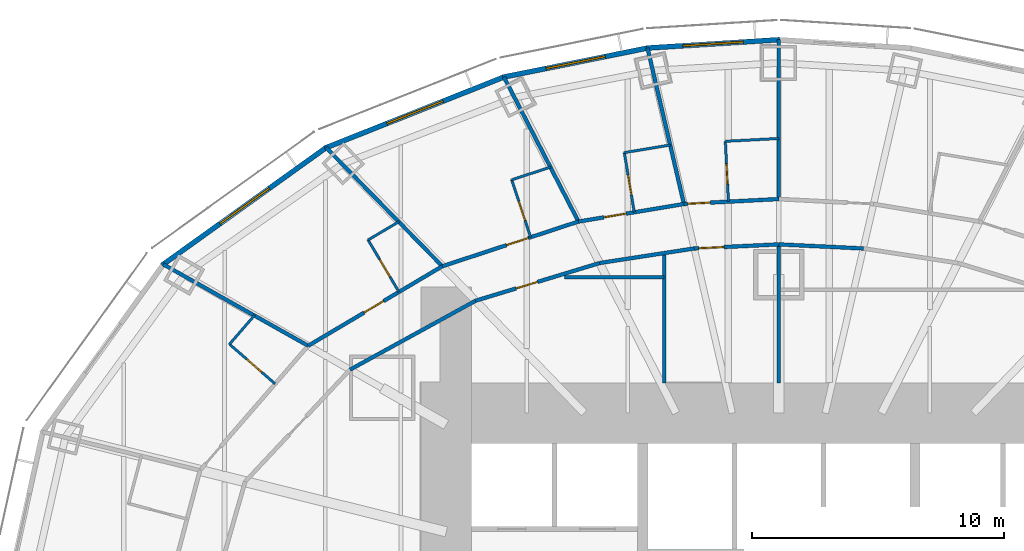
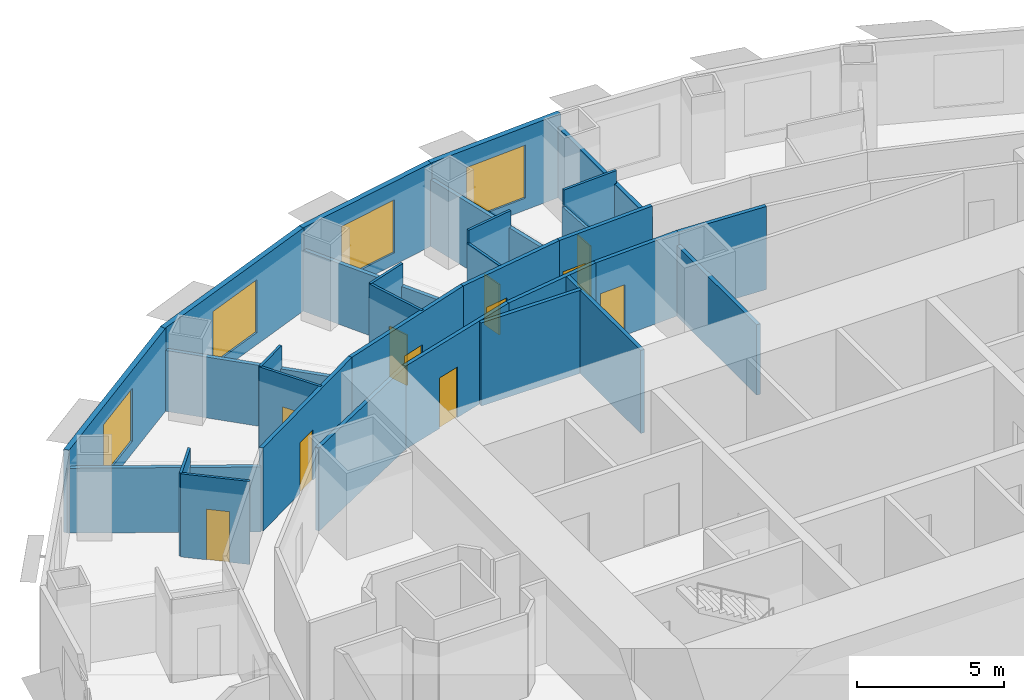
# One storey, part 9 of 15: 31 walls, 11 doors, 4 windows, 15 openings.
"""IFC4 building model written with IfcOpenShell, lengths in metres."""

from ifc_helpers import new_model, si_unit, direction, frame, frame_2d, origin, place, context, subcontext, project, spatial, rectangle, extrude, material, layer, layer_set, type_object, element, fill, save


model = new_model("IFC4")

# Units and contexts
model_context = context("Model", 3, precision=1e-05, world=origin(), true_north=direction((0.0, 1.0)))
body_context = subcontext(model_context, "Body", "Model", "MODEL_VIEW")
ifc_project = project(units=[si_unit("LENGTHUNIT", "METRE"), si_unit("AREAUNIT", "SQUARE_METRE"), si_unit("VOLUMEUNIT", "CUBIC_METRE"), si_unit("PLANEANGLEUNIT", "RADIAN"), si_unit("MASSUNIT", "GRAM", prefix="KILO")], contexts=[model_context])

# Site, building, storey
site_placement = place(None, origin())
site = spatial("IfcSite", under=ifc_project, at=site_placement, CompositionType="ELEMENT")
building_placement = place(site_placement, origin())
building = spatial("IfcBuilding", under=site, at=building_placement, Name="Lantaw Convention Tower", CompositionType="ELEMENT")
storey_placement = place(building_placement, frame((0.0, 0.0, 62.199951171875)))
storey = spatial("IfcBuildingStorey", under=building, at=storey_placement, Name="L13", CompositionType="ELEMENT", Elevation=62.199951171875)

# Walls
ifc_material_1 = material(Name="Gypsum board on steel studs", Category="steel")
ifc_layer_1 = layer(ifc_material_1, 0.14990234375)
ifc_layer_set_1 = layer_set([ifc_layer_1], Name="Back of house wall 150")
wall_type_1 = type_object("IfcWallType", Name="Back of house wall 150", PredefinedType="PARTITIONING", material=ifc_layer_set_1)
wall_1_placement = place(storey_placement, frame((0.0, 9.199951171875, 0.0), z_axis=(0.0, 0.0, 1.0), x_axis=(0.0, 1.0, 0.0)))
element("IfcWall", 1, at=wall_1_placement, inside=storey, type_object=wall_type_1, Name="Back of house wall 150", PredefinedType="PARTITIONING", context=body_context, shape_type="SweptSolid", body=[
    extrude(rectangle(XDim=5.5, YDim=0.14990234375, at=frame_2d((2.75, 0.0))), origin(), (0.0, 0.0, 1.0), 2.92431640625),
])
wall_2_placement = place(storey_placement, frame((-4.56005859375, 13.39990234375, 0.0), z_axis=(0.0, 0.0, 1.0), x_axis=(-1.0, 0.0, 0.0)))
element("IfcWall", 2, at=wall_2_placement, inside=storey, type_object=wall_type_1, Name="Back of house wall 150", PredefinedType="PARTITIONING", context=body_context, shape_type="SweptSolid", body=[
    extrude(rectangle(XDim=3.947509765625, YDim=0.14990234375, at=frame_2d((1.9736328125, 0.0))), origin(), (0.0, 0.0, 1.0), 3.449951171875),
])

# Wall, opening, door
ifc_material_2 = material(Name="Moisture resistant gypsum board on steel studs", Category="steel")
ifc_layer_2 = layer(ifc_material_2, 0.10009765625)
ifc_layer_set_2 = layer_set([ifc_layer_2], Name="Bathroom wall 100")
wall_type_2 = type_object("IfcWallType", Name="Bathroom wall 100", PredefinedType="PARTITIONING", material=ifc_layer_set_2)
wall_3_placement = place(storey_placement, frame((-1.997314453125, 16.39599609375, 0.0), z_axis=(0.0, 0.0, 1.0), x_axis=(-0.051982187452, 0.998648012158, 0.0)))
wall_3 = element("IfcWall", 3, at=wall_3_placement, inside=storey, type_object=wall_type_2, Name="Bathroom wall 100", PredefinedType="PARTITIONING", context=body_context, shape_type="SweptSolid", body=[
    extrude(rectangle(XDim=2.39990234375, YDim=0.10009765625, at=frame_2d((1.199951171875, 0.0))), origin(), (0.0, 0.0, 1.0), 2.7490234375),
])
opening_1_placement = place(wall_3_placement, frame((0.699951171875, 0.0, 0.0)))
opening_1 = element("IfcOpeningElement", 4, at=opening_1_placement, cuts=wall_3, Name="Opening L13.31", PredefinedType="OPENING", context=body_context, shape_type="SweptSolid", body=[
    extrude(rectangle(XDim=0.800048828125, YDim=2.10009765625, at=frame_2d((0.39990234375, 1.050048828125))), frame((0.0, 0.06005859375, 0.0), z_axis=(0.0, -1.0, 0.0), x_axis=(1.0, 0.0, 0.0)), (0.0, 0.0, 1.0), 0.1201171875),
])
ifc_material_3 = material(Name="Timber", Category="wood")
door_type_1 = type_object("IfcDoorType", Name="Bathroom door 800", OperationType="SINGLE_SWING_LEFT", PredefinedType="DOOR", material=ifc_material_3)
door_1_placement = place(opening_1_placement, origin())
door_1 = element("IfcDoor", 5, at=door_1_placement, inside=storey, type_object=door_type_1, Name="Bathroom door", OperationType="SINGLE_SWING_LEFT", OverallHeight=2.10009765625, OverallWidth=0.800048828125, PredefinedType="DOOR", context=body_context, shape_type="SweptSolid", body=[
    extrude(rectangle(XDim=0.800048828125, YDim=2.10009765625, at=frame_2d((0.39990234375, 1.050048828125))), frame((0.0, 0.02490234375, 0.0), z_axis=(0.0, -1.0, 0.0), x_axis=(1.0, 0.0, 0.0)), (0.0, 0.0, 1.0), 0.050048828125),
])
fill(opening_1, door_1)

# Wall
wall_4_placement = place(storey_placement, frame((-2.1220703125, 18.792724609375, 0.0), z_axis=(0.0, 0.0, 1.0), x_axis=(0.998644675281, 0.052046253785, 0.0)))
element("IfcWall", 6, at=wall_4_placement, inside=storey, type_object=wall_type_2, Name="Bathroom wall 100", PredefinedType="PARTITIONING", context=body_context, shape_type="SweptSolid", body=[
    extrude(rectangle(XDim=2.125, YDim=0.10009765625, at=frame_2d((1.0625, 0.0))), origin(), (0.0, 0.0, 1.0), 3.449951171875),
])

# Wall, opening, door
wall_5_placement = place(storey_placement, frame((-5.73681640625, 15.9755859375, 0.0), z_axis=(0.0, 0.0, 1.0), x_axis=(-0.164283516215, 0.986413162067, 0.0)))
wall_5 = element("IfcWall", 7, at=wall_5_placement, inside=storey, type_object=wall_type_2, Name="Bathroom wall 100", PredefinedType="PARTITIONING", context=body_context, shape_type="SweptSolid", body=[
    extrude(rectangle(XDim=2.400146484375, YDim=0.10009765625, at=frame_2d((1.2001953125, 0.0))), origin(), (0.0, 0.0, 1.0), 2.9140625),
])
opening_2_placement = place(wall_5_placement, frame((0.699951171875, 0.0, 0.0)))
opening_2 = element("IfcOpeningElement", 8, at=opening_2_placement, cuts=wall_5, Name="Opening L13.33", PredefinedType="OPENING", context=body_context, shape_type="SweptSolid", body=[
    extrude(rectangle(XDim=0.800048828125, YDim=2.10009765625, at=frame_2d((0.39990234375, 1.050048828125))), frame((0.0, 0.06005859375, 0.0), z_axis=(0.0, -1.0, 0.0), x_axis=(1.0, 0.0, 0.0)), (0.0, 0.0, 1.0), 0.1201171875),
])
door_2_placement = place(opening_2_placement, origin())
door_2 = element("IfcDoor", 9, at=door_2_placement, inside=storey, type_object=door_type_1, Name="Bathroom door", OperationType="SINGLE_SWING_LEFT", OverallHeight=2.10009765625, OverallWidth=0.800048828125, PredefinedType="DOOR", context=body_context, shape_type="SweptSolid", body=[
    extrude(rectangle(XDim=0.800048828125, YDim=2.10009765625, at=frame_2d((0.39990234375, 1.050048828125))), frame((0.0, 0.02490234375, 0.0), z_axis=(0.0, -1.0, 0.0), x_axis=(1.0, 0.0, 0.0)), (0.0, 0.0, 1.0), 0.050048828125),
])
fill(opening_2, door_2)

# Wall
wall_6_placement = place(storey_placement, frame((-6.131103515625, 18.343017578125, 0.0), z_axis=(0.0, 0.0, 1.0), x_axis=(0.986429542706, 0.164185131106, 0.0)))
element("IfcWall", 10, at=wall_6_placement, inside=storey, type_object=wall_type_2, Name="Bathroom wall 100", PredefinedType="PARTITIONING", context=body_context, shape_type="SweptSolid", body=[
    extrude(rectangle(XDim=1.851318359375, YDim=0.10009765625, at=frame_2d((0.92578125, 0.0))), origin(), (0.0, 0.0, 1.0), 3.449951171875),
])

# Wall, opening, door
wall_7_placement = place(storey_placement, frame((-9.852294921875, 14.98291015625, 0.0), z_axis=(0.0, 0.0, 1.0), x_axis=(-0.311890952591, 0.950117905153, 0.0)))
wall_7 = element("IfcWall", 11, at=wall_7_placement, inside=storey, type_object=wall_type_2, Name="Bathroom wall 100", PredefinedType="PARTITIONING", context=body_context, shape_type="SweptSolid", body=[
    extrude(rectangle(XDim=2.39990234375, YDim=0.10009765625, at=frame_2d((1.199951171875, 0.0))), origin(), (0.0, 0.0, 1.0), 3.449951171875),
])
opening_3_placement = place(wall_7_placement, frame((0.699951171875, 0.0, 0.0)))
opening_3 = element("IfcOpeningElement", 12, at=opening_3_placement, cuts=wall_7, Name="Opening L13.35", PredefinedType="OPENING", context=body_context, shape_type="SweptSolid", body=[
    extrude(rectangle(XDim=0.800048828125, YDim=2.10009765625, at=frame_2d((0.39990234375, 1.050048828125))), frame((0.0, 0.06005859375, 0.0), z_axis=(0.0, -1.0, 0.0), x_axis=(1.0, 0.0, 0.0)), (0.0, 0.0, 1.0), 0.1201171875),
])
door_3_placement = place(opening_3_placement, origin())
door_3 = element("IfcDoor", 13, at=door_3_placement, inside=storey, type_object=door_type_1, Name="Bathroom door", OperationType="SINGLE_SWING_LEFT", OverallHeight=2.10009765625, OverallWidth=0.800048828125, PredefinedType="DOOR", context=body_context, shape_type="SweptSolid", body=[
    extrude(rectangle(XDim=0.800048828125, YDim=2.10009765625, at=frame_2d((0.39990234375, 1.050048828125))), frame((0.0, 0.02490234375, 0.0), z_axis=(0.0, -1.0, 0.0), x_axis=(1.0, 0.0, 0.0)), (0.0, 0.0, 1.0), 0.050048828125),
])
fill(opening_3, door_3)

# Wall
wall_8_placement = place(storey_placement, frame((-10.600830078125, 17.26318359375, 0.0), z_axis=(0.0, 0.0, 1.0), x_axis=(0.950113706819, 0.311903741746, 0.0)))
element("IfcWall", 14, at=wall_8_placement, inside=storey, type_object=wall_type_2, Name="Bathroom wall 100", PredefinedType="PARTITIONING", context=body_context, shape_type="SweptSolid", body=[
    extrude(rectangle(XDim=1.62744140625, YDim=0.10009765625, at=frame_2d((0.813720703125, 0.0))), origin(), (0.0, 0.0, 1.0), 3.449951171875),
])

# Wall, opening, door
wall_9_placement = place(storey_placement, frame((-15.07763671875, 12.81201171875, 0.0), z_axis=(0.0, 0.0, 1.0), x_axis=(-0.510075642074, 0.860129548012, 0.0)))
wall_9 = element("IfcWall", 15, at=wall_9_placement, inside=storey, type_object=wall_type_2, Name="Bathroom wall 100", PredefinedType="PARTITIONING", context=body_context, shape_type="SweptSolid", body=[
    extrude(rectangle(XDim=2.39990234375, YDim=0.10009765625, at=frame_2d((1.199951171875, 0.0))), origin(), (0.0, 0.0, 1.0), 3.449951171875),
])
opening_4_placement = place(wall_9_placement, frame((0.699951171875, 0.0, 0.0)))
opening_4 = element("IfcOpeningElement", 16, at=opening_4_placement, cuts=wall_9, Name="Opening L13.37", PredefinedType="OPENING", context=body_context, shape_type="SweptSolid", body=[
    extrude(rectangle(XDim=0.800048828125, YDim=2.10009765625, at=frame_2d((0.39990234375, 1.050048828125))), frame((0.0, 0.06005859375, 0.0), z_axis=(0.0, -1.0, 0.0), x_axis=(1.0, 0.0, 0.0)), (0.0, 0.0, 1.0), 0.1201171875),
])
door_4_placement = place(opening_4_placement, origin())
door_4 = element("IfcDoor", 17, at=door_4_placement, inside=storey, type_object=door_type_1, Name="Bathroom door", OperationType="SINGLE_SWING_LEFT", OverallHeight=2.10009765625, OverallWidth=0.800048828125, PredefinedType="DOOR", context=body_context, shape_type="SweptSolid", body=[
    extrude(rectangle(XDim=0.800048828125, YDim=2.10009765625, at=frame_2d((0.39990234375, 1.050048828125))), frame((0.0, 0.02490234375, 0.0), z_axis=(0.0, -1.0, 0.0), x_axis=(1.0, 0.0, 0.0)), (0.0, 0.0, 1.0), 0.050048828125),
])
fill(opening_4, door_4)

# Wall
wall_10_placement = place(storey_placement, frame((-16.3017578125, 14.876220703125, 0.0), z_axis=(0.0, 0.0, 1.0), x_axis=(0.8601307696, 0.510073582131, 0.0)))
element("IfcWall", 18, at=wall_10_placement, inside=storey, type_object=wall_type_2, Name="Bathroom wall 100", PredefinedType="PARTITIONING", context=body_context, shape_type="SweptSolid", body=[
    extrude(rectangle(XDim=1.43115234375, YDim=0.10009765625, at=frame_2d((0.715576171875, 0.0))), origin(), (0.0, 0.0, 1.0), 3.449951171875),
])

# Wall, opening, door
wall_11_placement = place(storey_placement, frame((-19.99267578125, 9.164794921875, 0.0), z_axis=(0.0, 0.0, 1.0), x_axis=(-0.755098052661, 0.655611875172, 0.0)))
wall_11 = element("IfcWall", 19, at=wall_11_placement, inside=storey, type_object=wall_type_2, Name="Bathroom wall 100", PredefinedType="PARTITIONING", context=body_context, shape_type="SweptSolid", body=[
    extrude(rectangle(XDim=2.400146484375, YDim=0.10009765625, at=frame_2d((1.2001953125, 0.0))), origin(), (0.0, 0.0, 1.0), 3.449951171875),
])
opening_5_placement = place(wall_11_placement, frame((0.699951171875, 0.0, 0.0)))
opening_5 = element("IfcOpeningElement", 20, at=opening_5_placement, cuts=wall_11, Name="Opening L13.39", PredefinedType="OPENING", context=body_context, shape_type="SweptSolid", body=[
    extrude(rectangle(XDim=0.800048828125, YDim=2.10009765625, at=frame_2d((0.39990234375, 1.050048828125))), frame((0.0, 0.06005859375, 0.0), z_axis=(0.0, -1.0, 0.0), x_axis=(1.0, 0.0, 0.0)), (0.0, 0.0, 1.0), 0.1201171875),
])
door_5_placement = place(opening_5_placement, origin())
door_5 = element("IfcDoor", 21, at=door_5_placement, inside=storey, type_object=door_type_1, Name="Bathroom door", OperationType="SINGLE_SWING_LEFT", OverallHeight=2.10009765625, OverallWidth=0.800048828125, PredefinedType="DOOR", context=body_context, shape_type="SweptSolid", body=[
    extrude(rectangle(XDim=0.800048828125, YDim=2.10009765625, at=frame_2d((0.39990234375, 1.050048828125))), frame((0.0, 0.02490234375, 0.0), z_axis=(0.0, -1.0, 0.0), x_axis=(1.0, 0.0, 0.0)), (0.0, 0.0, 1.0), 0.050048828125),
])
fill(opening_5, door_5)

# Wall
wall_12_placement = place(storey_placement, frame((-21.804931640625, 10.73828125, 0.0), z_axis=(0.0, 0.0, 1.0), x_axis=(0.655528024617, 0.755170847518, 0.0)))
element("IfcWall", 22, at=wall_12_placement, inside=storey, type_object=wall_type_2, Name="Bathroom wall 100", PredefinedType="PARTITIONING", context=body_context, shape_type="SweptSolid", body=[
    extrude(rectangle(XDim=1.52392578125, YDim=0.10009765625, at=frame_2d((0.761962890625, 0.0))), origin(), (0.0, 0.0, 1.0), 3.449951171875),
])

# Wall, opening, door
ifc_material_4 = material(Name="Gypsum board on steel studs, fire rated", Category="steel")
ifc_layer_3 = layer(ifc_material_4, 0.14990234375)
ifc_layer_set_3 = layer_set([ifc_layer_3], Name="Corridor wall 150 EI 60")
wall_type_3 = type_object("IfcWallType", Name="Corridor wall 150 EI 60", PredefinedType="PARTITIONING", material=ifc_layer_set_3)
wall_13_placement = place(storey_placement, frame((0.0, 16.5, 0.0), z_axis=(0.0, 0.0, 1.0), x_axis=(-0.998649848759, -0.05194689186, 0.0)))
wall_13 = element("IfcWall", 23, at=wall_13_placement, inside=storey, type_object=wall_type_3, Name="Corridor wall 150", PredefinedType="PARTITIONING", context=body_context, shape_type="SweptSolid", body=[
    extrude(rectangle(XDim=3.769287109375, YDim=0.14990234375, at=frame_2d((1.884765625, 0.0))), origin(), (0.0, 0.0, 1.0), 3.449951171875),
])
opening_6_placement = place(wall_13_placement, frame((2.71923828125, 0.0, 0.0)))
opening_6 = element("IfcOpeningElement", 24, at=opening_6_placement, cuts=wall_13, Name="Opening L13.32", PredefinedType="OPENING", context=body_context, shape_type="SweptSolid", body=[
    extrude(rectangle(XDim=0.89990234375, YDim=2.10009765625, at=frame_2d((0.449951171875, 1.050048828125))), frame((0.0, 0.0849609375, 0.0), z_axis=(0.0, -1.0, 0.0), x_axis=(1.0, 0.0, 0.0)), (0.0, 0.0, 1.0), 0.169921875),
])
ifc_material_5 = material(Name="Steel, fire rated", Category="steel")
door_type_2 = type_object("IfcDoorType", Name="Guest room entrance door FD30S", OperationType="SINGLE_SWING_LEFT", PredefinedType="DOOR", material=ifc_material_5)
door_6_placement = place(opening_6_placement, origin())
door_6 = element("IfcDoor", 25, at=door_6_placement, inside=storey, type_object=door_type_2, Name="Guest room entrance door", OperationType="SINGLE_SWING_LEFT", OverallHeight=2.10009765625, OverallWidth=0.89990234375, PredefinedType="DOOR", context=body_context, shape_type="SweptSolid", body=[
    extrude(rectangle(XDim=0.89990234375, YDim=2.10009765625, at=frame_2d((0.449951171875, 1.050048828125))), frame((0.0, 0.02490234375, 0.0), z_axis=(0.0, -1.0, 0.0), x_axis=(1.0, 0.0, 0.0)), (0.0, 0.0, 1.0), 0.050048828125),
])
fill(opening_6, door_6)

wall_14_placement = place(storey_placement, frame((-3.76416015625, 16.30419921875, 0.0), z_axis=(0.0, 0.0, 1.0), x_axis=(-0.98641101506, -0.164296407044, 0.0)))
wall_14 = element("IfcWall", 26, at=wall_14_placement, inside=storey, type_object=wall_type_3, Name="Corridor wall 150", PredefinedType="PARTITIONING", context=body_context, shape_type="SweptSolid", body=[
    extrude(rectangle(XDim=4.245361328125, YDim=0.14990234375, at=frame_2d((2.12255859375, 0.0))), origin(), (0.0, 0.0, 1.0), 3.449951171875),
])
opening_7_placement = place(wall_14_placement, frame((2.319091796875, 0.0, 0.0)))
opening_7 = element("IfcOpeningElement", 27, at=opening_7_placement, cuts=wall_14, Name="Opening L13.34", PredefinedType="OPENING", context=body_context, shape_type="SweptSolid", body=[
    extrude(rectangle(XDim=0.89990234375, YDim=2.10009765625, at=frame_2d((0.449951171875, 1.050048828125))), frame((0.0, 0.0849609375, 0.0), z_axis=(0.0, -1.0, 0.0), x_axis=(1.0, 0.0, 0.0)), (0.0, 0.0, 1.0), 0.169921875),
])
door_7_placement = place(opening_7_placement, origin())
door_7 = element("IfcDoor", 28, at=door_7_placement, inside=storey, type_object=door_type_2, Name="Guest room entrance door", OperationType="SINGLE_SWING_LEFT", OverallHeight=2.10009765625, OverallWidth=0.89990234375, PredefinedType="DOOR", context=body_context, shape_type="SweptSolid", body=[
    extrude(rectangle(XDim=0.89990234375, YDim=2.10009765625, at=frame_2d((0.449951171875, 1.050048828125))), frame((0.0, 0.02490234375, 0.0), z_axis=(0.0, -1.0, 0.0), x_axis=(1.0, 0.0, 0.0)), (0.0, 0.0, 1.0), 0.050048828125),
])
fill(opening_7, door_7)

wall_15_placement = place(storey_placement, frame((-7.951904296875, 15.606689453125, 0.0), z_axis=(0.0, 0.0, 1.0), x_axis=(-0.950106803111, -0.311924770869, 0.0)))
wall_15 = element("IfcWall", 29, at=wall_15_placement, inside=storey, type_object=wall_type_3, Name="Corridor wall 150", PredefinedType="PARTITIONING", context=body_context, shape_type="SweptSolid", body=[
    extrude(rectangle(XDim=5.689453125, YDim=0.14990234375, at=frame_2d((2.8447265625, 0.0))), origin(), (0.0, 0.0, 1.0), 3.449951171875),
])
opening_8_placement = place(wall_15_placement, frame((2.10009765625, 0.0, 0.0)))
opening_8 = element("IfcOpeningElement", 30, at=opening_8_placement, cuts=wall_15, Name="Opening L13.36", PredefinedType="OPENING", context=body_context, shape_type="SweptSolid", body=[
    extrude(rectangle(XDim=0.89990234375, YDim=2.10009765625, at=frame_2d((0.449951171875, 1.050048828125))), frame((0.0, 0.0849609375, 0.0), z_axis=(0.0, -1.0, 0.0), x_axis=(1.0, 0.0, 0.0)), (0.0, 0.0, 1.0), 0.169921875),
])
door_8_placement = place(opening_8_placement, origin())
door_8 = element("IfcDoor", 31, at=door_8_placement, inside=storey, type_object=door_type_2, Name="Guest room entrance door", OperationType="SINGLE_SWING_LEFT", OverallHeight=2.10009765625, OverallWidth=0.89990234375, PredefinedType="DOOR", context=body_context, shape_type="SweptSolid", body=[
    extrude(rectangle(XDim=0.89990234375, YDim=2.10009765625, at=frame_2d((0.449951171875, 1.050048828125))), frame((0.0, 0.02490234375, 0.0), z_axis=(0.0, -1.0, 0.0), x_axis=(1.0, 0.0, 0.0)), (0.0, 0.0, 1.0), 0.050048828125),
])
fill(opening_8, door_8)

wall_16_placement = place(storey_placement, frame((-13.357421875, 13.83203125, 0.0), z_axis=(0.0, 0.0, 1.0), x_axis=(-0.860147339762, -0.510045639036, 0.0)))
wall_16 = element("IfcWall", 32, at=wall_16_placement, inside=storey, type_object=wall_type_3, Name="Corridor wall 150", PredefinedType="PARTITIONING", context=body_context, shape_type="SweptSolid", body=[
    extrude(rectangle(XDim=6.189697265625, YDim=0.14990234375, at=frame_2d((3.0947265625, 0.0))), origin(), (0.0, 0.0, 1.0), 3.449951171875),
])
opening_9_placement = place(wall_16_placement, frame((2.7080078125, 0.0, 0.0)))
opening_9 = element("IfcOpeningElement", 33, at=opening_9_placement, cuts=wall_16, Name="Opening L13.38", PredefinedType="OPENING", context=body_context, shape_type="SweptSolid", body=[
    extrude(rectangle(XDim=0.89990234375, YDim=2.10009765625, at=frame_2d((0.449951171875, 1.050048828125))), frame((0.0, 0.0849609375, 0.0), z_axis=(0.0, -1.0, 0.0), x_axis=(1.0, 0.0, 0.0)), (0.0, 0.0, 1.0), 0.169921875),
])
door_9_placement = place(opening_9_placement, origin())
door_9 = element("IfcDoor", 34, at=door_9_placement, inside=storey, type_object=door_type_2, Name="Guest room entrance door", OperationType="SINGLE_SWING_LEFT", OverallHeight=2.10009765625, OverallWidth=0.89990234375, PredefinedType="DOOR", context=body_context, shape_type="SweptSolid", body=[
    extrude(rectangle(XDim=0.89990234375, YDim=2.10009765625, at=frame_2d((0.449951171875, 1.050048828125))), frame((0.0, 0.02490234375, 0.0), z_axis=(0.0, -1.0, 0.0), x_axis=(1.0, 0.0, 0.0)), (0.0, 0.0, 1.0), 0.050048828125),
])
fill(opening_9, door_9)

# Wall
wall_17_placement = place(storey_placement, frame((3.3564453125, 14.538330078125, 0.0), z_axis=(0.0, 0.0, 1.0), x_axis=(-0.998842682549, 0.048096730859, 0.0)))
element("IfcWall", 35, at=wall_17_placement, inside=storey, type_object=wall_type_3, Name="Corridor wall 150", PredefinedType="PARTITIONING", context=body_context, shape_type="SweptSolid", body=[
    extrude(rectangle(XDim=3.3603515625, YDim=0.14990234375, at=frame_2d((1.68017578125, 0.0))), origin(), (0.0, 0.0, 1.0), 3.449951171875),
])

# Wall, opening, door
wall_18_placement = place(storey_placement, frame((0.0, 14.699951171875, 0.0), z_axis=(0.0, 0.0, 1.0), x_axis=(-0.998842682549, -0.048096730859, 0.0)))
wall_18 = element("IfcWall", 36, at=wall_18_placement, inside=storey, type_object=wall_type_3, Name="Corridor wall 150", PredefinedType="PARTITIONING", context=body_context, shape_type="SweptSolid", body=[
    extrude(rectangle(XDim=3.3603515625, YDim=0.14990234375, at=frame_2d((1.68017578125, 0.0))), origin(), (0.0, 0.0, 1.0), 3.449951171875),
])
opening_10_placement = place(wall_18_placement, frame((2.177490234375, 0.0, 0.0)))
opening_10 = element("IfcOpeningElement", 37, at=opening_10_placement, cuts=wall_18, Name="Opening L13.18", PredefinedType="OPENING", context=body_context, shape_type="SweptSolid", body=[
    extrude(rectangle(XDim=1.0, YDim=2.10009765625, at=frame_2d((0.5, 1.050048828125))), frame((0.0, 0.0849609375, 0.0), z_axis=(0.0, -1.0, 0.0), x_axis=(1.0, 0.0, 0.0)), (0.0, 0.0, 1.0), 0.169921875),
])
door_type_3 = type_object("IfcDoorType", Name="Accessible WC door 1000 FD30", OperationType="SINGLE_SWING_LEFT", PredefinedType="DOOR", material=ifc_material_5)
door_10_placement = place(opening_10_placement, origin())
door_10 = element("IfcDoor", 38, at=door_10_placement, inside=storey, type_object=door_type_3, Name="Accessible WC door", OperationType="SINGLE_SWING_LEFT", OverallHeight=2.10009765625, OverallWidth=1.0, PredefinedType="DOOR", context=body_context, shape_type="SweptSolid", body=[
    extrude(rectangle(XDim=1.0, YDim=2.10009765625, at=frame_2d((0.5, 1.050048828125))), frame((0.0, 0.02490234375, 0.0), z_axis=(0.0, -1.0, 0.0), x_axis=(1.0, 0.0, 0.0)), (0.0, 0.0, 1.0), 0.050048828125),
])
fill(opening_10, door_10)

# Wall
wall_19_placement = place(storey_placement, frame((-3.3564453125, 14.538330078125, 0.0), z_axis=(0.0, 0.0, 1.0), x_axis=(-0.988343461108, -0.152240608529, 0.0)))
element("IfcWall", 39, at=wall_19_placement, inside=storey, type_object=wall_type_3, Name="Corridor wall 150", PredefinedType="PARTITIONING", context=body_context, shape_type="SweptSolid", body=[
    extrude(rectangle(XDim=3.800537109375, YDim=0.14990234375, at=frame_2d((1.900390625, 0.0))), origin(), (0.0, 0.0, 1.0), 3.449951171875),
])

# Wall, opening, door
wall_20_placement = place(storey_placement, frame((-7.11279296875, 13.959716796875, 0.0), z_axis=(0.0, 0.0, 1.0), x_axis=(-0.956795045135, -0.290763205385, 0.0)))
wall_20 = element("IfcWall", 40, at=wall_20_placement, inside=storey, type_object=wall_type_3, Name="Corridor wall 150", PredefinedType="PARTITIONING", context=body_context, shape_type="SweptSolid", body=[
    extrude(rectangle(XDim=5.1455078125, YDim=0.14990234375, at=frame_2d((2.57275390625, 0.0))), origin(), (0.0, 0.0, 1.0), 3.449951171875),
])
opening_11_placement = place(wall_20_placement, frame((2.5693359375, 0.0, 0.0)))
opening_11 = element("IfcOpeningElement", 41, at=opening_11_placement, cuts=wall_20, Name="Opening L13.19", PredefinedType="OPENING", context=body_context, shape_type="SweptSolid", body=[
    extrude(rectangle(XDim=0.89990234375, YDim=2.10009765625, at=frame_2d((0.449951171875, 1.050048828125))), frame((0.0, 0.0849609375, 0.0), z_axis=(0.0, -1.0, 0.0), x_axis=(1.0, 0.0, 0.0)), (0.0, 0.0, 1.0), 0.169921875),
])
door_type_4 = type_object("IfcDoorType", Name="Service door 900 FD30", OperationType="SINGLE_SWING_LEFT", PredefinedType="DOOR", material=ifc_material_5)
door_11_placement = place(opening_11_placement, origin())
door_11 = element("IfcDoor", 42, at=door_11_placement, inside=storey, type_object=door_type_4, Name="Housekeeping store door", OperationType="SINGLE_SWING_LEFT", OverallHeight=2.10009765625, OverallWidth=0.89990234375, PredefinedType="DOOR", context=body_context, shape_type="SweptSolid", body=[
    extrude(rectangle(XDim=0.89990234375, YDim=2.10009765625, at=frame_2d((0.449951171875, 1.050048828125))), frame((0.0, 0.02490234375, 0.0), z_axis=(0.0, -1.0, 0.0), x_axis=(1.0, 0.0, 0.0)), (0.0, 0.0, 1.0), 0.050048828125),
])
fill(opening_11, door_11)

# Wall
wall_21_placement = place(storey_placement, frame((-12.035888671875, 12.463623046875, 0.0), z_axis=(0.0, 0.0, 1.0), x_axis=(-0.876522084062, -0.481361647986, 0.0)))
element("IfcWall", 43, at=wall_21_placement, inside=storey, type_object=wall_type_3, Name="Corridor wall 150", PredefinedType="PARTITIONING", context=body_context, shape_type="SweptSolid", body=[
    extrude(rectangle(XDim=5.68701171875, YDim=0.14990234375, at=frame_2d((2.843505859375, 0.0))), origin(), (0.0, 0.0, 1.0), 3.449951171875),
])

# Wall, opening, window
ifc_material_6 = material(Name="Insulated aluminium panel on steel frame", Category="steel")
ifc_layer_4 = layer(ifc_material_6, 0.199951171875)
ifc_layer_set_4 = layer_set([ifc_layer_4], Name="External wall 200")
wall_type_4 = type_object("IfcWallType", Name="External wall 200", PredefinedType="SOLIDWALL", material=ifc_layer_set_4)
wall_22_placement = place(storey_placement, frame((0.041015625, 22.8271484375, 0.0), z_axis=(0.0, 0.0, 1.0), x_axis=(-0.998018582375, -0.062919863585, 0.0)))
wall_22 = element("IfcWall", 44, at=wall_22_placement, inside=storey, type_object=wall_type_4, Name="Facade panel wall", PredefinedType="SOLIDWALL", context=body_context, shape_type="SweptSolid", body=[
    extrude(rectangle(XDim=5.30419921875, YDim=0.199951171875, at=frame_2d((2.652099609375, 0.0))), origin(), (0.0, 0.0, 1.0), 3.449951171875),
])
opening_12_placement = place(wall_22_placement, frame((1.4521484375, 0.0, 0.5)))
opening_12 = element("IfcOpeningElement", 45, at=opening_12_placement, cuts=wall_22, Name="Opening W1", PredefinedType="OPENING", context=body_context, shape_type="SweptSolid", body=[
    extrude(rectangle(XDim=2.39990234375, YDim=2.199951171875, at=frame_2d((1.199951171875, 1.10009765625))), frame((0.0, 0.10986328125, 0.0), z_axis=(0.0, -1.0, 0.0), x_axis=(1.0, 0.0, 0.0)), (0.0, 0.0, 1.0), 0.219970703125),
])
ifc_material_7 = material(Name="Aluminium frame, clear insulating glass", Category="aluminium")
window_type = type_object("IfcWindowType", Name="Guest room window 2400x2200", PartitioningType="SINGLE_PANEL", PredefinedType="WINDOW", material=ifc_material_7)
window_1_placement = place(opening_12_placement, origin())
window_1 = element("IfcWindow", 46, at=window_1_placement, inside=storey, type_object=window_type, Name="Guest room window", OverallHeight=2.199951171875, OverallWidth=2.39990234375, PartitioningType="SINGLE_PANEL", PredefinedType="WINDOW", context=body_context, shape_type="SweptSolid", body=[
    extrude(rectangle(XDim=2.39990234375, YDim=2.199951171875, at=frame_2d((1.199951171875, 1.10009765625))), frame((0.0, 0.030029296875, 0.0), z_axis=(0.0, -1.0, 0.0), x_axis=(1.0, 0.0, 0.0)), (0.0, 0.0, 1.0), 0.06005859375),
])
fill(opening_12, window_1)

wall_23_placement = place(storey_placement, frame((-5.169677734375, 22.504150390625, 0.0), z_axis=(0.0, 0.0, 1.0), x_axis=(-0.980251657452, -0.197754110105, 0.0)))
wall_23 = element("IfcWall", 47, at=wall_23_placement, inside=storey, type_object=wall_type_4, Name="Facade panel wall", PredefinedType="SOLIDWALL", context=body_context, shape_type="SweptSolid", body=[
    extrude(rectangle(XDim=5.90380859375, YDim=0.199951171875, at=frame_2d((2.951904296875, 0.0))), origin(), (0.0, 0.0, 1.0), 3.449951171875),
])
opening_13_placement = place(wall_23_placement, frame((1.751708984375, 0.0, 0.5)))
opening_13 = element("IfcOpeningElement", 48, at=opening_13_placement, cuts=wall_23, Name="Opening W1", PredefinedType="OPENING", context=body_context, shape_type="SweptSolid", body=[
    extrude(rectangle(XDim=2.39990234375, YDim=2.199951171875, at=frame_2d((1.199951171875, 1.10009765625))), frame((0.0, 0.10986328125, 0.0), z_axis=(0.0, -1.0, 0.0), x_axis=(1.0, 0.0, 0.0)), (0.0, 0.0, 1.0), 0.219970703125),
])
window_2_placement = place(opening_13_placement, origin())
window_2 = element("IfcWindow", 49, at=window_2_placement, inside=storey, type_object=window_type, Name="Guest room window", OverallHeight=2.199951171875, OverallWidth=2.39990234375, PartitioningType="SINGLE_PANEL", PredefinedType="WINDOW", context=body_context, shape_type="SweptSolid", body=[
    extrude(rectangle(XDim=2.39990234375, YDim=2.199951171875, at=frame_2d((1.199951171875, 1.10009765625))), frame((0.0, 0.030029296875, 0.0), z_axis=(0.0, -1.0, 0.0), x_axis=(1.0, 0.0, 0.0)), (0.0, 0.0, 1.0), 0.06005859375),
])
fill(opening_13, window_2)

wall_24_placement = place(storey_placement, frame((-10.869384765625, 21.362548828125, 0.0), z_axis=(0.0, 0.0, 1.0), x_axis=(-0.929358351251, -0.369178892895, 0.0)))
wall_24 = element("IfcWall", 50, at=wall_24_placement, inside=storey, type_object=wall_type_4, Name="Facade panel wall", PredefinedType="SOLIDWALL", context=body_context, shape_type="SweptSolid", body=[
    extrude(rectangle(XDim=7.6923828125, YDim=0.199951171875, at=frame_2d((3.84619140625, 0.0))), origin(), (0.0, 0.0, 1.0), 3.449951171875),
])
opening_14_placement = place(wall_24_placement, frame((2.64599609375, 0.0, 0.5)))
opening_14 = element("IfcOpeningElement", 51, at=opening_14_placement, cuts=wall_24, Name="Opening W1", PredefinedType="OPENING", context=body_context, shape_type="SweptSolid", body=[
    extrude(rectangle(XDim=2.39990234375, YDim=2.199951171875, at=frame_2d((1.199951171875, 1.10009765625))), frame((0.0, 0.10986328125, 0.0), z_axis=(0.0, -1.0, 0.0), x_axis=(1.0, 0.0, 0.0)), (0.0, 0.0, 1.0), 0.219970703125),
])
window_3_placement = place(opening_14_placement, origin())
window_3 = element("IfcWindow", 52, at=window_3_placement, inside=storey, type_object=window_type, Name="Guest room window", OverallHeight=2.199951171875, OverallWidth=2.39990234375, PartitioningType="SINGLE_PANEL", PredefinedType="WINDOW", context=body_context, shape_type="SweptSolid", body=[
    extrude(rectangle(XDim=2.39990234375, YDim=2.199951171875, at=frame_2d((1.199951171875, 1.10009765625))), frame((0.0, 0.030029296875, 0.0), z_axis=(0.0, -1.0, 0.0), x_axis=(1.0, 0.0, 0.0)), (0.0, 0.0, 1.0), 0.06005859375),
])
fill(opening_14, window_3)

wall_25_placement = place(storey_placement, frame((-17.9287109375, 18.57177734375, 0.0), z_axis=(0.0, 0.0, 1.0), x_axis=(-0.812791321576, -0.582554948112, 0.0)))
wall_25 = element("IfcWall", 53, at=wall_25_placement, inside=storey, type_object=wall_type_4, Name="Facade panel wall", PredefinedType="SOLIDWALL", context=body_context, shape_type="SweptSolid", body=[
    extrude(rectangle(XDim=8.063232421875, YDim=0.199951171875, at=frame_2d((4.03173828125, 0.0))), origin(), (0.0, 0.0, 1.0), 3.449951171875),
])
opening_15_placement = place(wall_25_placement, frame((2.83154296875, 0.0, 0.5)))
opening_15 = element("IfcOpeningElement", 54, at=opening_15_placement, cuts=wall_25, Name="Opening W1", PredefinedType="OPENING", context=body_context, shape_type="SweptSolid", body=[
    extrude(rectangle(XDim=2.39990234375, YDim=2.199951171875, at=frame_2d((1.199951171875, 1.10009765625))), frame((0.0, 0.10986328125, 0.0), z_axis=(0.0, -1.0, 0.0), x_axis=(1.0, 0.0, 0.0)), (0.0, 0.0, 1.0), 0.219970703125),
])
window_4_placement = place(opening_15_placement, origin())
window_4 = element("IfcWindow", 55, at=window_4_placement, inside=storey, type_object=window_type, Name="Guest room window", OverallHeight=2.199951171875, OverallWidth=2.39990234375, PartitioningType="SINGLE_PANEL", PredefinedType="WINDOW", context=body_context, shape_type="SweptSolid", body=[
    extrude(rectangle(XDim=2.39990234375, YDim=2.199951171875, at=frame_2d((1.199951171875, 1.10009765625))), frame((0.0, 0.030029296875, 0.0), z_axis=(0.0, -1.0, 0.0), x_axis=(1.0, 0.0, 0.0)), (0.0, 0.0, 1.0), 0.06005859375),
])
fill(opening_15, window_4)

# Walls
ifc_material_8 = material(Name="Gypsum board on steel studs, acoustic", Category="steel")
ifc_layer_5 = layer(ifc_material_8, 0.14990234375)
ifc_layer_set_5 = layer_set([ifc_layer_5], Name="Guest room party wall 150")
wall_type_5 = type_object("IfcWallType", Name="Guest room party wall 150", PredefinedType="PARTITIONING", material=ifc_layer_set_5)
wall_26_placement = place(storey_placement, frame((0.0, 22.82470703125, 0.0), z_axis=(0.0, 0.0, 1.0), x_axis=(0.0, -1.0, 0.0)))
element("IfcWall", 56, at=wall_26_placement, inside=storey, type_object=wall_type_5, Name="Guest room party wall 150", PredefinedType="PARTITIONING", context=body_context, shape_type="SweptSolid", body=[
    extrude(rectangle(XDim=6.32470703125, YDim=0.14990234375, at=frame_2d((3.162353515625, 0.0))), origin(), (0.0, 0.0, 1.0), 2.92431640625),
])
wall_27_placement = place(storey_placement, frame((-5.2109375, 22.495849609375, 0.0), z_axis=(0.0, 0.0, 1.0), x_axis=(0.227536694087, -0.973769507042, 0.0)))
element("IfcWall", 57, at=wall_27_placement, inside=storey, type_object=wall_type_5, Name="Guest room party wall 150", PredefinedType="PARTITIONING", context=body_context, shape_type="SweptSolid", body=[
    extrude(rectangle(XDim=6.3583984375, YDim=0.14990234375, at=frame_2d((3.17919921875, 0.0))), origin(), (0.0, 0.0, 1.0), 2.766845703125),
])
wall_28_placement = place(storey_placement, frame((-10.911865234375, 21.345703125, 0.0), z_axis=(0.0, 0.0, 1.0), x_axis=(0.458384799126, -0.888753833145, 0.0)))
element("IfcWall", 58, at=wall_28_placement, inside=storey, type_object=wall_type_5, Name="Guest room party wall 150", PredefinedType="PARTITIONING", context=body_context, shape_type="SweptSolid", body=[
    extrude(rectangle(XDim=6.457275390625, YDim=0.14990234375, at=frame_2d((3.228515625, 0.0))), origin(), (0.0, 0.0, 1.0), 2.528076171875),
])
wall_29_placement = place(storey_placement, frame((-17.970458984375, 18.541748046875, 0.0), z_axis=(0.0, 0.0, 1.0), x_axis=(0.699736251994, -0.714401272147, 0.0)))
element("IfcWall", 59, at=wall_29_placement, inside=storey, type_object=wall_type_5, Name="Guest room party wall 150", PredefinedType="PARTITIONING", context=body_context, shape_type="SweptSolid", body=[
    extrude(rectangle(XDim=6.592529296875, YDim=0.14990234375, at=frame_2d((3.29638671875, 0.0))), origin(), (0.0, 0.0, 1.0), 2.528076171875),
])
wall_30_placement = place(storey_placement, frame((-24.434814453125, 13.90869140625, 0.0), z_axis=(0.0, 0.0, 1.0), x_axis=(0.871747379892, -0.489955616001, 0.0)))
element("IfcWall", 60, at=wall_30_placement, inside=storey, type_object=wall_type_5, Name="Guest room party wall 150", PredefinedType="PARTITIONING", context=body_context, shape_type="SweptSolid", body=[
    extrude(rectangle(XDim=6.599853515625, YDim=0.14990234375, at=frame_2d((3.2998046875, 0.0))), origin(), (0.0, 0.0, 1.0), 2.693115234375),
])
ifc_material_9 = material(Name="Concrete blockwork", Category="masonry")
ifc_layer_6 = layer(ifc_material_9, 0.14990234375)
ifc_layer_set_6 = layer_set([ifc_layer_6], Name="WC wall 150")
wall_type_6 = type_object("IfcWallType", Name="WC wall 150", PredefinedType="SOLIDWALL", material=ifc_layer_set_6)
wall_31_placement = place(storey_placement, frame((-4.550048828125, 9.199951171875, 0.0), z_axis=(0.0, 0.0, 1.0), x_axis=(0.0, 1.0, 0.0)))
element("IfcWall", 61, at=wall_31_placement, inside=storey, type_object=wall_type_6, Name="WC wall 150", PredefinedType="SOLIDWALL", context=body_context, shape_type="SweptSolid", body=[
    extrude(rectangle(XDim=5.154541015625, YDim=0.14990234375, at=frame_2d((2.5771484375, 0.0))), origin(), (0.0, 0.0, 1.0), 3.449951171875),
])

save(model, "model.ifc")
